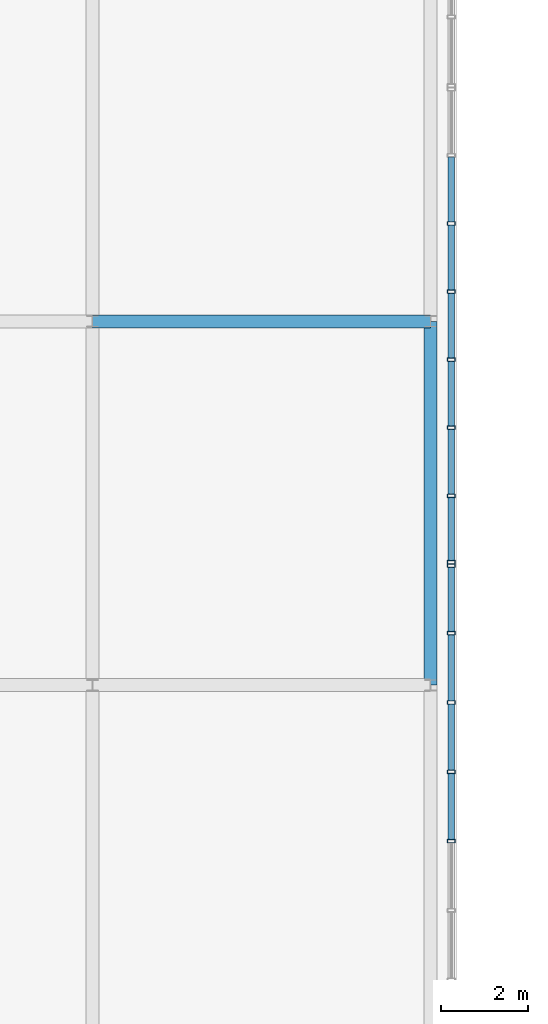
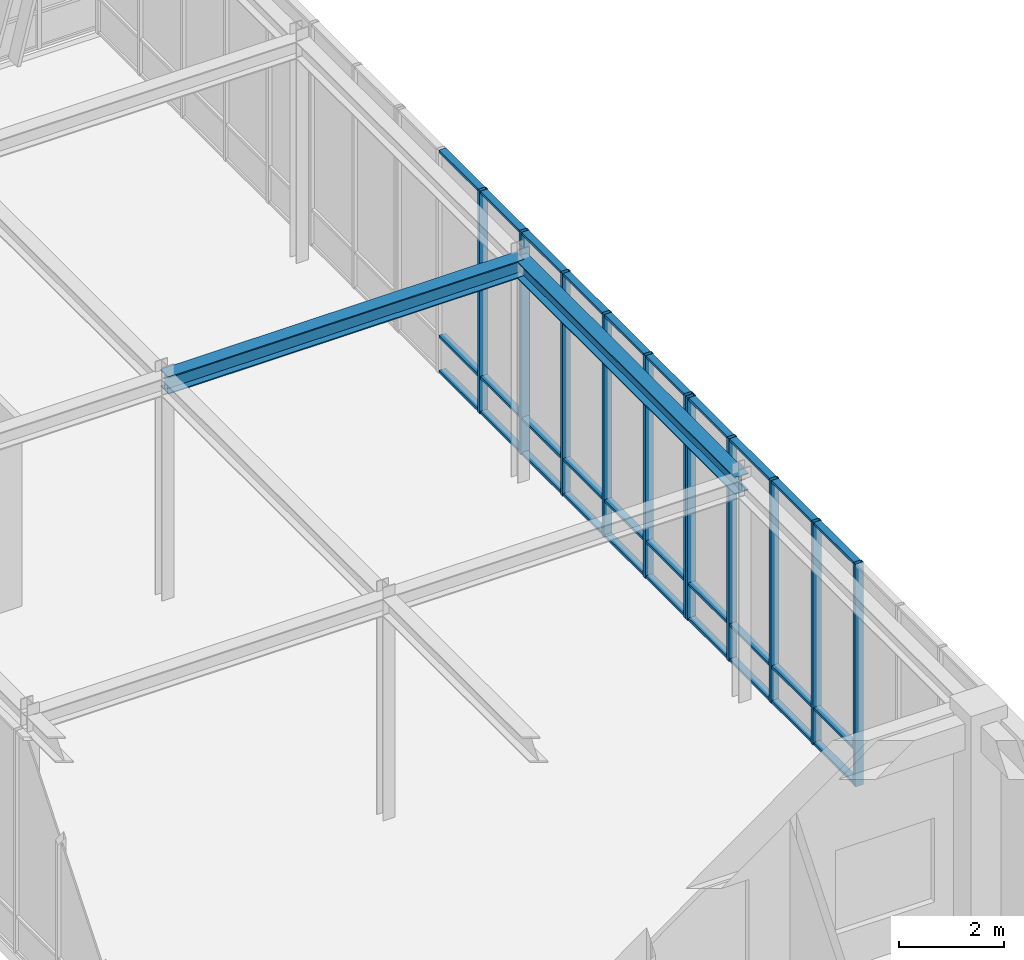
# One storey, part 24 of 139: 41 members, 2 beams, 2 elements without a shape of their own.
"""IFC4 building model written with IfcOpenShell, lengths in metres."""

from ifc_helpers import new_model, si_unit, direction, frame, origin, origin_2d, place, context, subcontext, project, spatial, hollow_rectangle, i_section, extrude, material, layer, layer_set, material_profile, profile_set, type_object, element, aggregate, save


model = new_model("IFC4")

# Units and contexts
model_context = context("Model", 3, precision=1e-05, world=origin(), true_north=direction((0.0, 1.0)))
body_context = subcontext(model_context, "Body", "Model", "MODEL_VIEW")
ifc_project = project(units=[si_unit("LENGTHUNIT", "METRE"), si_unit("AREAUNIT", "SQUARE_METRE"), si_unit("VOLUMEUNIT", "CUBIC_METRE"), si_unit("PLANEANGLEUNIT", "RADIAN"), si_unit("MASSUNIT", "GRAM", prefix="KILO")], contexts=[model_context])

# Site, building, storey
site_placement = place(None, origin())
site = spatial("IfcSite", under=ifc_project, at=site_placement, CompositionType="ELEMENT")
building_placement = place(site_placement, origin())
building = spatial("IfcBuilding", under=site, at=building_placement, Name="Zayran Congress Hotel", CompositionType="ELEMENT")
storey_placement = place(building_placement, frame((0.0, 0.0, 5.39990234375)))
storey = spatial("IfcBuildingStorey", under=building, at=storey_placement, Name="L01", CompositionType="ELEMENT", Elevation=5.39990234375)

# Beams
ifc_material_1 = material(Name="Steel S355", Category="steel")
ifc_material_profile_1 = material_profile(ifc_material_1, i_section(OverallWidth=0.300048828125, OverallDepth=0.39990234375, WebThickness=0.013427734375, FlangeThickness=0.02392578125, at=origin_2d()), Name="HEB 400")
ifc_profile_set_1 = profile_set([ifc_material_profile_1], Name="Steel S355")
beam_type = type_object("IfcBeamType", Name="TP-BM-10", PredefinedType="BEAM", material=ifc_profile_set_1)
beam_1_placement = place(storey_placement, frame((84.0, 50.800048828125, 4.960205078125), z_axis=(1.0, 0.0, 0.0), x_axis=(0.0, 1.0, 0.0)))
element("IfcBeam", 1, at=beam_1_placement, inside=storey, type_object=beam_type, Name="BM-BR2-L01-2461", PredefinedType="BEAM", context=body_context, shape_type="SweptSolid", body=[
    extrude(i_section(OverallWidth=0.300048828125, OverallDepth=0.39990234375, WebThickness=0.013427734375, FlangeThickness=0.02392578125, at=origin_2d()), origin(), (0.0, 0.0, 1.0), 7.800048828125),
])
beam_2_placement = place(storey_placement, frame((91.800048828125, 42.39990234375, 4.960205078125), z_axis=(0.0, 1.0, 0.0), x_axis=(-1.0, 0.0, 0.0)))
element("IfcBeam", 2, at=beam_2_placement, inside=storey, type_object=beam_type, Name="BM-BR2Y-L01-2473", PredefinedType="BEAM", context=body_context, shape_type="SweptSolid", body=[
    extrude(i_section(OverallWidth=0.300048828125, OverallDepth=0.39990234375, WebThickness=0.013427734375, FlangeThickness=0.02392578125, at=origin_2d()), origin(), (0.0, 0.0, 1.0), 8.400146484375),
])

# Curtain wall, members
ifc_material_2 = material(Name="Anodised aluminium and low-E insulated glass", Category="aluminium")
ifc_layer_1 = layer(ifc_material_2, 0.179931640625)
ifc_layer_set_1 = layer_set([ifc_layer_1], Name="Anodised aluminium and low-E insulated glass")
curtain_wall_type_1 = type_object("IfcCurtainWallType", Name="CW-BR2-L01-CW-BR2-11200-5160", PredefinedType="USERDEFINED", material=ifc_layer_set_1)
curtain_wall_1_placement = place(storey_placement, origin())
curtain_wall_1 = element("IfcCurtainWall", 3, at=curtain_wall_1_placement, inside=storey, type_object=curtain_wall_type_1, Name="CW-BR2E-L01-0", ObjectType="CURTAIN WALL", PredefinedType="USERDEFINED")
ifc_material_3 = material(Name="Anodised aluminium framing", Category="aluminium")
ifc_material_profile_2 = material_profile(ifc_material_3, hollow_rectangle(XDim=0.080078125, YDim=0.179931640625, WallThickness=0.0048828125, at=origin_2d()), Name="RHS 180x80x5")
ifc_profile_set_2 = profile_set([ifc_material_profile_2], Name="Anodised aluminium framing")
member_type_1 = type_object("IfcMemberType", Name="TP-CWM-01", PredefinedType="MULLION", material=ifc_profile_set_2)
member_1_placement = place(storey_placement, frame((92.280029296875, 38.800048828125, 0.0), z_axis=(0.0, 0.0, 1.0), x_axis=(0.0, 1.0, 0.0)))
member_1 = element("IfcMember", 4, at=member_1_placement, type_object=member_type_1, Name="CW-BR2E-L01-0-M03", PredefinedType="MULLION", context=body_context, shape_type="SweptSolid", body=[
    extrude(hollow_rectangle(XDim=0.080078125, YDim=0.179931640625, WallThickness=0.0048828125, at=origin_2d()), origin(), (0.0, 0.0, 1.0), 5.16015625),
])
member_2_placement = place(storey_placement, frame((92.280029296875, 40.39990234375, 0.0), z_axis=(0.0, 0.0, 1.0), x_axis=(0.0, 1.0, 0.0)))
member_2 = element("IfcMember", 5, at=member_2_placement, type_object=member_type_1, Name="CW-BR2E-L01-0-M04", PredefinedType="MULLION", context=body_context, shape_type="SweptSolid", body=[
    extrude(hollow_rectangle(XDim=0.080078125, YDim=0.179931640625, WallThickness=0.0048828125, at=origin_2d()), origin(), (0.0, 0.0, 1.0), 5.16015625),
])
member_3_placement = place(storey_placement, frame((92.280029296875, 42.0, 0.0), z_axis=(0.0, 0.0, 1.0), x_axis=(0.0, 1.0, 0.0)))
member_3 = element("IfcMember", 6, at=member_3_placement, type_object=member_type_1, Name="CW-BR2E-L01-0-M05", PredefinedType="MULLION", context=body_context, shape_type="SweptSolid", body=[
    extrude(hollow_rectangle(XDim=0.080078125, YDim=0.179931640625, WallThickness=0.0048828125, at=origin_2d()), origin(), (0.0, 0.0, 1.0), 5.16015625),
])
member_4_placement = place(storey_placement, frame((92.280029296875, 43.60009765625, 0.0), z_axis=(0.0, 0.0, 1.0), x_axis=(0.0, 1.0, 0.0)))
member_4 = element("IfcMember", 7, at=member_4_placement, type_object=member_type_1, Name="CW-BR2E-L01-0-M06", PredefinedType="MULLION", context=body_context, shape_type="SweptSolid", body=[
    extrude(hollow_rectangle(XDim=0.080078125, YDim=0.179931640625, WallThickness=0.0048828125, at=origin_2d()), origin(), (0.0, 0.0, 1.0), 5.16015625),
])
member_5_placement = place(storey_placement, frame((92.280029296875, 45.159912109375, 0.0), z_axis=(0.0, 0.0, 1.0), x_axis=(0.0, 1.0, 0.0)))
member_5 = element("IfcMember", 8, at=member_5_placement, type_object=member_type_1, Name="CW-BR2E-L01-0-M07", PredefinedType="MULLION", context=body_context, shape_type="SweptSolid", body=[
    extrude(hollow_rectangle(XDim=0.080078125, YDim=0.179931640625, WallThickness=0.0048828125, at=origin_2d()), origin(), (0.0, 0.0, 1.0), 5.16015625),
])

ifc_layer_2 = layer(ifc_material_2, 0.179931640625)
ifc_layer_set_2 = layer_set([ifc_layer_2], Name="Anodised aluminium and low-E insulated glass")
curtain_wall_type_2 = type_object("IfcCurtainWallType", Name="CW-BR2-L01-CW-BR2-11000-5160", PredefinedType="USERDEFINED", material=ifc_layer_set_2)
curtain_wall_2_placement = place(storey_placement, origin())
curtain_wall_2 = element("IfcCurtainWall", 9, at=curtain_wall_2_placement, inside=storey, type_object=curtain_wall_type_2, Name="CW-BR2E-L01-1", ObjectType="CURTAIN WALL", PredefinedType="USERDEFINED")
member_6_placement = place(storey_placement, frame((92.280029296875, 45.239990234375, 0.0), z_axis=(0.0, 0.0, 1.0), x_axis=(0.0, 1.0, 0.0)))
member_6 = element("IfcMember", 10, at=member_6_placement, type_object=member_type_1, Name="CW-BR2E-L01-1-M00", PredefinedType="MULLION", context=body_context, shape_type="SweptSolid", body=[
    extrude(hollow_rectangle(XDim=0.080078125, YDim=0.179931640625, WallThickness=0.0048828125, at=origin_2d()), origin(), (0.0, 0.0, 1.0), 5.16015625),
])
member_7_placement = place(storey_placement, frame((92.280029296875, 46.771484375, 0.0), z_axis=(0.0, 0.0, 1.0), x_axis=(0.0, 1.0, 0.0)))
member_7 = element("IfcMember", 11, at=member_7_placement, type_object=member_type_1, Name="CW-BR2E-L01-1-M01", PredefinedType="MULLION", context=body_context, shape_type="SweptSolid", body=[
    extrude(hollow_rectangle(XDim=0.080078125, YDim=0.179931640625, WallThickness=0.0048828125, at=origin_2d()), origin(), (0.0, 0.0, 1.0), 5.16015625),
])
member_8_placement = place(storey_placement, frame((92.280029296875, 48.343017578125, 0.0), z_axis=(0.0, 0.0, 1.0), x_axis=(0.0, 1.0, 0.0)))
member_8 = element("IfcMember", 12, at=member_8_placement, type_object=member_type_1, Name="CW-BR2E-L01-1-M02", PredefinedType="MULLION", context=body_context, shape_type="SweptSolid", body=[
    extrude(hollow_rectangle(XDim=0.080078125, YDim=0.179931640625, WallThickness=0.0048828125, at=origin_2d()), origin(), (0.0, 0.0, 1.0), 5.16015625),
])
member_9_placement = place(storey_placement, frame((92.280029296875, 49.914306640625, 0.0), z_axis=(0.0, 0.0, 1.0), x_axis=(0.0, 1.0, 0.0)))
member_9 = element("IfcMember", 13, at=member_9_placement, type_object=member_type_1, Name="CW-BR2E-L01-1-M03", PredefinedType="MULLION", context=body_context, shape_type="SweptSolid", body=[
    extrude(hollow_rectangle(XDim=0.080078125, YDim=0.179931640625, WallThickness=0.0048828125, at=origin_2d()), origin(), (0.0, 0.0, 1.0), 5.16015625),
])
member_10_placement = place(storey_placement, frame((92.280029296875, 51.485595703125, 0.0), z_axis=(0.0, 0.0, 1.0), x_axis=(0.0, 1.0, 0.0)))
member_10 = element("IfcMember", 14, at=member_10_placement, type_object=member_type_1, Name="CW-BR2E-L01-1-M04", PredefinedType="MULLION", context=body_context, shape_type="SweptSolid", body=[
    extrude(hollow_rectangle(XDim=0.080078125, YDim=0.179931640625, WallThickness=0.0048828125, at=origin_2d()), origin(), (0.0, 0.0, 1.0), 5.16015625),
])
member_11_placement = place(storey_placement, frame((92.280029296875, 53.05712890625, 0.0), z_axis=(0.0, 0.0, 1.0), x_axis=(0.0, 1.0, 0.0)))
member_11 = element("IfcMember", 15, at=member_11_placement, type_object=member_type_1, Name="CW-BR2E-L01-1-M05", PredefinedType="MULLION", context=body_context, shape_type="SweptSolid", body=[
    extrude(hollow_rectangle(XDim=0.080078125, YDim=0.179931640625, WallThickness=0.0048828125, at=origin_2d()), origin(), (0.0, 0.0, 1.0), 5.16015625),
])

# Member
ifc_material_profile_3 = material_profile(ifc_material_3, hollow_rectangle(XDim=0.06005859375, YDim=0.14990234375, WallThickness=0.00390625, at=origin_2d()), Name="RHS 150x60x4")
ifc_profile_set_3 = profile_set([ifc_material_profile_3], Name="Anodised aluminium framing")
member_type_2 = type_object("IfcMemberType", Name="TP-CWT-01", PredefinedType="USERDEFINED", material=ifc_profile_set_3)
member_12_placement = place(storey_placement, frame((92.280029296875, 38.840087890625, 0.030029296875), z_axis=(0.0, 1.0, 0.0), x_axis=(0.0, 0.0, 1.0)))
member_12 = element("IfcMember", 16, at=member_12_placement, type_object=member_type_2, Name="CW-BR2E-L01-0-T03-0", ObjectType="TRANSOM", PredefinedType="USERDEFINED", context=body_context, shape_type="SweptSolid", body=[
    extrude(hollow_rectangle(XDim=0.06005859375, YDim=0.14990234375, WallThickness=0.00390625, at=origin_2d()), origin(), (0.0, 0.0, 1.0), 1.52001953125),
])

member_13_placement = place(storey_placement, frame((92.280029296875, 38.840087890625, 0.840087890625), z_axis=(0.0, 1.0, 0.0), x_axis=(0.0, 0.0, 1.0)))
member_13 = element("IfcMember", 17, at=member_13_placement, type_object=member_type_2, Name="CW-BR2E-L01-0-T03-1", ObjectType="TRANSOM", PredefinedType="USERDEFINED", context=body_context, shape_type="SweptSolid", body=[
    extrude(hollow_rectangle(XDim=0.06005859375, YDim=0.14990234375, WallThickness=0.00390625, at=origin_2d()), origin(), (0.0, 0.0, 1.0), 1.52001953125),
])

member_14_placement = place(storey_placement, frame((92.280029296875, 38.840087890625, 5.130126953125), z_axis=(0.0, 1.0, 0.0), x_axis=(0.0, 0.0, 1.0)))
member_14 = element("IfcMember", 18, at=member_14_placement, type_object=member_type_2, Name="CW-BR2E-L01-0-T03-2", ObjectType="TRANSOM", PredefinedType="USERDEFINED", context=body_context, shape_type="SweptSolid", body=[
    extrude(hollow_rectangle(XDim=0.06005859375, YDim=0.14990234375, WallThickness=0.00390625, at=origin_2d()), origin(), (0.0, 0.0, 1.0), 1.52001953125),
])

member_15_placement = place(storey_placement, frame((92.280029296875, 40.43994140625, 0.030029296875), z_axis=(0.0, 1.0, 0.0), x_axis=(0.0, 0.0, 1.0)))
member_15 = element("IfcMember", 19, at=member_15_placement, type_object=member_type_2, Name="CW-BR2E-L01-0-T04-0", ObjectType="TRANSOM", PredefinedType="USERDEFINED", context=body_context, shape_type="SweptSolid", body=[
    extrude(hollow_rectangle(XDim=0.06005859375, YDim=0.14990234375, WallThickness=0.00390625, at=origin_2d()), origin(), (0.0, 0.0, 1.0), 1.52001953125),
])

member_16_placement = place(storey_placement, frame((92.280029296875, 40.43994140625, 0.840087890625), z_axis=(0.0, 1.0, 0.0), x_axis=(0.0, 0.0, 1.0)))
member_16 = element("IfcMember", 20, at=member_16_placement, type_object=member_type_2, Name="CW-BR2E-L01-0-T04-1", ObjectType="TRANSOM", PredefinedType="USERDEFINED", context=body_context, shape_type="SweptSolid", body=[
    extrude(hollow_rectangle(XDim=0.06005859375, YDim=0.14990234375, WallThickness=0.00390625, at=origin_2d()), origin(), (0.0, 0.0, 1.0), 1.52001953125),
])

member_17_placement = place(storey_placement, frame((92.280029296875, 40.43994140625, 5.130126953125), z_axis=(0.0, 1.0, 0.0), x_axis=(0.0, 0.0, 1.0)))
member_17 = element("IfcMember", 21, at=member_17_placement, type_object=member_type_2, Name="CW-BR2E-L01-0-T04-2", ObjectType="TRANSOM", PredefinedType="USERDEFINED", context=body_context, shape_type="SweptSolid", body=[
    extrude(hollow_rectangle(XDim=0.06005859375, YDim=0.14990234375, WallThickness=0.00390625, at=origin_2d()), origin(), (0.0, 0.0, 1.0), 1.52001953125),
])

member_18_placement = place(storey_placement, frame((92.280029296875, 42.0400390625, 0.030029296875), z_axis=(0.0, 1.0, 0.0), x_axis=(0.0, 0.0, 1.0)))
member_18 = element("IfcMember", 22, at=member_18_placement, type_object=member_type_2, Name="CW-BR2E-L01-0-T05-0", ObjectType="TRANSOM", PredefinedType="USERDEFINED", context=body_context, shape_type="SweptSolid", body=[
    extrude(hollow_rectangle(XDim=0.06005859375, YDim=0.14990234375, WallThickness=0.00390625, at=origin_2d()), origin(), (0.0, 0.0, 1.0), 1.52001953125),
])

member_19_placement = place(storey_placement, frame((92.280029296875, 42.0400390625, 0.840087890625), z_axis=(0.0, 1.0, 0.0), x_axis=(0.0, 0.0, 1.0)))
member_19 = element("IfcMember", 23, at=member_19_placement, type_object=member_type_2, Name="CW-BR2E-L01-0-T05-1", ObjectType="TRANSOM", PredefinedType="USERDEFINED", context=body_context, shape_type="SweptSolid", body=[
    extrude(hollow_rectangle(XDim=0.06005859375, YDim=0.14990234375, WallThickness=0.00390625, at=origin_2d()), origin(), (0.0, 0.0, 1.0), 1.52001953125),
])

member_20_placement = place(storey_placement, frame((92.280029296875, 42.0400390625, 5.130126953125), z_axis=(0.0, 1.0, 0.0), x_axis=(0.0, 0.0, 1.0)))
member_20 = element("IfcMember", 24, at=member_20_placement, type_object=member_type_2, Name="CW-BR2E-L01-0-T05-2", ObjectType="TRANSOM", PredefinedType="USERDEFINED", context=body_context, shape_type="SweptSolid", body=[
    extrude(hollow_rectangle(XDim=0.06005859375, YDim=0.14990234375, WallThickness=0.00390625, at=origin_2d()), origin(), (0.0, 0.0, 1.0), 1.52001953125),
])

member_21_placement = place(storey_placement, frame((92.280029296875, 43.639892578125, 0.030029296875), z_axis=(0.0, 1.0, 0.0), x_axis=(0.0, 0.0, 1.0)))
member_21 = element("IfcMember", 25, at=member_21_placement, type_object=member_type_2, Name="CW-BR2E-L01-0-T06-0", ObjectType="TRANSOM", PredefinedType="USERDEFINED", context=body_context, shape_type="SweptSolid", body=[
    extrude(hollow_rectangle(XDim=0.06005859375, YDim=0.14990234375, WallThickness=0.00390625, at=origin_2d()), origin(), (0.0, 0.0, 1.0), 1.480224609375),
])

member_22_placement = place(storey_placement, frame((92.280029296875, 43.639892578125, 0.840087890625), z_axis=(0.0, 1.0, 0.0), x_axis=(0.0, 0.0, 1.0)))
member_22 = element("IfcMember", 26, at=member_22_placement, type_object=member_type_2, Name="CW-BR2E-L01-0-T06-1", ObjectType="TRANSOM", PredefinedType="USERDEFINED", context=body_context, shape_type="SweptSolid", body=[
    extrude(hollow_rectangle(XDim=0.06005859375, YDim=0.14990234375, WallThickness=0.00390625, at=origin_2d()), origin(), (0.0, 0.0, 1.0), 1.480224609375),
])

member_23_placement = place(storey_placement, frame((92.280029296875, 43.639892578125, 5.130126953125), z_axis=(0.0, 1.0, 0.0), x_axis=(0.0, 0.0, 1.0)))
member_23 = element("IfcMember", 27, at=member_23_placement, type_object=member_type_2, Name="CW-BR2E-L01-0-T06-2", ObjectType="TRANSOM", PredefinedType="USERDEFINED", context=body_context, shape_type="SweptSolid", body=[
    extrude(hollow_rectangle(XDim=0.06005859375, YDim=0.14990234375, WallThickness=0.00390625, at=origin_2d()), origin(), (0.0, 0.0, 1.0), 1.480224609375),
])

aggregate(curtain_wall_1, [member_1, member_2, member_3, member_4, member_5, member_12, member_13, member_14, member_15, member_16, member_17, member_18, member_19, member_20, member_21, member_22, member_23])

member_24_placement = place(storey_placement, frame((92.280029296875, 45.280029296875, 0.030029296875), z_axis=(0.0, 1.0, 0.0), x_axis=(0.0, 0.0, 1.0)))
member_24 = element("IfcMember", 28, at=member_24_placement, type_object=member_type_2, Name="CW-BR2E-L01-1-T00-0", ObjectType="TRANSOM", PredefinedType="USERDEFINED", context=body_context, shape_type="SweptSolid", body=[
    extrude(hollow_rectangle(XDim=0.06005859375, YDim=0.14990234375, WallThickness=0.00390625, at=origin_2d()), origin(), (0.0, 0.0, 1.0), 1.451416015625),
])

member_25_placement = place(storey_placement, frame((92.280029296875, 45.280029296875, 0.840087890625), z_axis=(0.0, 1.0, 0.0), x_axis=(0.0, 0.0, 1.0)))
member_25 = element("IfcMember", 29, at=member_25_placement, type_object=member_type_2, Name="CW-BR2E-L01-1-T00-1", ObjectType="TRANSOM", PredefinedType="USERDEFINED", context=body_context, shape_type="SweptSolid", body=[
    extrude(hollow_rectangle(XDim=0.06005859375, YDim=0.14990234375, WallThickness=0.00390625, at=origin_2d()), origin(), (0.0, 0.0, 1.0), 1.451416015625),
])

member_26_placement = place(storey_placement, frame((92.280029296875, 45.280029296875, 5.130126953125), z_axis=(0.0, 1.0, 0.0), x_axis=(0.0, 0.0, 1.0)))
member_26 = element("IfcMember", 30, at=member_26_placement, type_object=member_type_2, Name="CW-BR2E-L01-1-T00-2", ObjectType="TRANSOM", PredefinedType="USERDEFINED", context=body_context, shape_type="SweptSolid", body=[
    extrude(hollow_rectangle(XDim=0.06005859375, YDim=0.14990234375, WallThickness=0.00390625, at=origin_2d()), origin(), (0.0, 0.0, 1.0), 1.451416015625),
])

member_27_placement = place(storey_placement, frame((92.280029296875, 46.811279296875, 0.030029296875), z_axis=(0.0, 1.0, 0.0), x_axis=(0.0, 0.0, 1.0)))
member_27 = element("IfcMember", 31, at=member_27_placement, type_object=member_type_2, Name="CW-BR2E-L01-1-T01-0", ObjectType="TRANSOM", PredefinedType="USERDEFINED", context=body_context, shape_type="SweptSolid", body=[
    extrude(hollow_rectangle(XDim=0.06005859375, YDim=0.14990234375, WallThickness=0.00390625, at=origin_2d()), origin(), (0.0, 0.0, 1.0), 1.49169921875),
])

member_28_placement = place(storey_placement, frame((92.280029296875, 46.811279296875, 0.840087890625), z_axis=(0.0, 1.0, 0.0), x_axis=(0.0, 0.0, 1.0)))
member_28 = element("IfcMember", 32, at=member_28_placement, type_object=member_type_2, Name="CW-BR2E-L01-1-T01-1", ObjectType="TRANSOM", PredefinedType="USERDEFINED", context=body_context, shape_type="SweptSolid", body=[
    extrude(hollow_rectangle(XDim=0.06005859375, YDim=0.14990234375, WallThickness=0.00390625, at=origin_2d()), origin(), (0.0, 0.0, 1.0), 1.49169921875),
])

member_29_placement = place(storey_placement, frame((92.280029296875, 46.811279296875, 5.130126953125), z_axis=(0.0, 1.0, 0.0), x_axis=(0.0, 0.0, 1.0)))
member_29 = element("IfcMember", 33, at=member_29_placement, type_object=member_type_2, Name="CW-BR2E-L01-1-T01-2", ObjectType="TRANSOM", PredefinedType="USERDEFINED", context=body_context, shape_type="SweptSolid", body=[
    extrude(hollow_rectangle(XDim=0.06005859375, YDim=0.14990234375, WallThickness=0.00390625, at=origin_2d()), origin(), (0.0, 0.0, 1.0), 1.49169921875),
])

member_30_placement = place(storey_placement, frame((92.280029296875, 48.3828125, 0.030029296875), z_axis=(0.0, 1.0, 0.0), x_axis=(0.0, 0.0, 1.0)))
member_30 = element("IfcMember", 34, at=member_30_placement, type_object=member_type_2, Name="CW-BR2E-L01-1-T02-0", ObjectType="TRANSOM", PredefinedType="USERDEFINED", context=body_context, shape_type="SweptSolid", body=[
    extrude(hollow_rectangle(XDim=0.06005859375, YDim=0.14990234375, WallThickness=0.00390625, at=origin_2d()), origin(), (0.0, 0.0, 1.0), 1.491455078125),
])

member_31_placement = place(storey_placement, frame((92.280029296875, 48.3828125, 0.840087890625), z_axis=(0.0, 1.0, 0.0), x_axis=(0.0, 0.0, 1.0)))
member_31 = element("IfcMember", 35, at=member_31_placement, type_object=member_type_2, Name="CW-BR2E-L01-1-T02-1", ObjectType="TRANSOM", PredefinedType="USERDEFINED", context=body_context, shape_type="SweptSolid", body=[
    extrude(hollow_rectangle(XDim=0.06005859375, YDim=0.14990234375, WallThickness=0.00390625, at=origin_2d()), origin(), (0.0, 0.0, 1.0), 1.491455078125),
])

member_32_placement = place(storey_placement, frame((92.280029296875, 48.3828125, 5.130126953125), z_axis=(0.0, 1.0, 0.0), x_axis=(0.0, 0.0, 1.0)))
member_32 = element("IfcMember", 36, at=member_32_placement, type_object=member_type_2, Name="CW-BR2E-L01-1-T02-2", ObjectType="TRANSOM", PredefinedType="USERDEFINED", context=body_context, shape_type="SweptSolid", body=[
    extrude(hollow_rectangle(XDim=0.06005859375, YDim=0.14990234375, WallThickness=0.00390625, at=origin_2d()), origin(), (0.0, 0.0, 1.0), 1.491455078125),
])

member_33_placement = place(storey_placement, frame((92.280029296875, 49.954345703125, 0.030029296875), z_axis=(0.0, 1.0, 0.0), x_axis=(0.0, 0.0, 1.0)))
member_33 = element("IfcMember", 37, at=member_33_placement, type_object=member_type_2, Name="CW-BR2E-L01-1-T03-0", ObjectType="TRANSOM", PredefinedType="USERDEFINED", context=body_context, shape_type="SweptSolid", body=[
    extrude(hollow_rectangle(XDim=0.06005859375, YDim=0.14990234375, WallThickness=0.00390625, at=origin_2d()), origin(), (0.0, 0.0, 1.0), 1.491455078125),
])

member_34_placement = place(storey_placement, frame((92.280029296875, 49.954345703125, 0.840087890625), z_axis=(0.0, 1.0, 0.0), x_axis=(0.0, 0.0, 1.0)))
member_34 = element("IfcMember", 38, at=member_34_placement, type_object=member_type_2, Name="CW-BR2E-L01-1-T03-1", ObjectType="TRANSOM", PredefinedType="USERDEFINED", context=body_context, shape_type="SweptSolid", body=[
    extrude(hollow_rectangle(XDim=0.06005859375, YDim=0.14990234375, WallThickness=0.00390625, at=origin_2d()), origin(), (0.0, 0.0, 1.0), 1.491455078125),
])

member_35_placement = place(storey_placement, frame((92.280029296875, 49.954345703125, 5.130126953125), z_axis=(0.0, 1.0, 0.0), x_axis=(0.0, 0.0, 1.0)))
member_35 = element("IfcMember", 39, at=member_35_placement, type_object=member_type_2, Name="CW-BR2E-L01-1-T03-2", ObjectType="TRANSOM", PredefinedType="USERDEFINED", context=body_context, shape_type="SweptSolid", body=[
    extrude(hollow_rectangle(XDim=0.06005859375, YDim=0.14990234375, WallThickness=0.00390625, at=origin_2d()), origin(), (0.0, 0.0, 1.0), 1.491455078125),
])

member_36_placement = place(storey_placement, frame((92.280029296875, 51.525634765625, 0.030029296875), z_axis=(0.0, 1.0, 0.0), x_axis=(0.0, 0.0, 1.0)))
member_36 = element("IfcMember", 40, at=member_36_placement, type_object=member_type_2, Name="CW-BR2E-L01-1-T04-0", ObjectType="TRANSOM", PredefinedType="USERDEFINED", context=body_context, shape_type="SweptSolid", body=[
    extrude(hollow_rectangle(XDim=0.06005859375, YDim=0.14990234375, WallThickness=0.00390625, at=origin_2d()), origin(), (0.0, 0.0, 1.0), 1.491455078125),
])

member_37_placement = place(storey_placement, frame((92.280029296875, 51.525634765625, 0.840087890625), z_axis=(0.0, 1.0, 0.0), x_axis=(0.0, 0.0, 1.0)))
member_37 = element("IfcMember", 41, at=member_37_placement, type_object=member_type_2, Name="CW-BR2E-L01-1-T04-1", ObjectType="TRANSOM", PredefinedType="USERDEFINED", context=body_context, shape_type="SweptSolid", body=[
    extrude(hollow_rectangle(XDim=0.06005859375, YDim=0.14990234375, WallThickness=0.00390625, at=origin_2d()), origin(), (0.0, 0.0, 1.0), 1.491455078125),
])

member_38_placement = place(storey_placement, frame((92.280029296875, 51.525634765625, 5.130126953125), z_axis=(0.0, 1.0, 0.0), x_axis=(0.0, 0.0, 1.0)))
member_38 = element("IfcMember", 42, at=member_38_placement, type_object=member_type_2, Name="CW-BR2E-L01-1-T04-2", ObjectType="TRANSOM", PredefinedType="USERDEFINED", context=body_context, shape_type="SweptSolid", body=[
    extrude(hollow_rectangle(XDim=0.06005859375, YDim=0.14990234375, WallThickness=0.00390625, at=origin_2d()), origin(), (0.0, 0.0, 1.0), 1.491455078125),
])

member_39_placement = place(storey_placement, frame((92.280029296875, 53.09716796875, 0.030029296875), z_axis=(0.0, 1.0, 0.0), x_axis=(0.0, 0.0, 1.0)))
member_39 = element("IfcMember", 43, at=member_39_placement, type_object=member_type_2, Name="CW-BR2E-L01-1-T05-0", ObjectType="TRANSOM", PredefinedType="USERDEFINED", context=body_context, shape_type="SweptSolid", body=[
    extrude(hollow_rectangle(XDim=0.06005859375, YDim=0.14990234375, WallThickness=0.00390625, at=origin_2d()), origin(), (0.0, 0.0, 1.0), 1.491455078125),
])

member_40_placement = place(storey_placement, frame((92.280029296875, 53.09716796875, 0.840087890625), z_axis=(0.0, 1.0, 0.0), x_axis=(0.0, 0.0, 1.0)))
member_40 = element("IfcMember", 44, at=member_40_placement, type_object=member_type_2, Name="CW-BR2E-L01-1-T05-1", ObjectType="TRANSOM", PredefinedType="USERDEFINED", context=body_context, shape_type="SweptSolid", body=[
    extrude(hollow_rectangle(XDim=0.06005859375, YDim=0.14990234375, WallThickness=0.00390625, at=origin_2d()), origin(), (0.0, 0.0, 1.0), 1.491455078125),
])

member_41_placement = place(storey_placement, frame((92.280029296875, 53.09716796875, 5.130126953125), z_axis=(0.0, 1.0, 0.0), x_axis=(0.0, 0.0, 1.0)))
member_41 = element("IfcMember", 45, at=member_41_placement, type_object=member_type_2, Name="CW-BR2E-L01-1-T05-2", ObjectType="TRANSOM", PredefinedType="USERDEFINED", context=body_context, shape_type="SweptSolid", body=[
    extrude(hollow_rectangle(XDim=0.06005859375, YDim=0.14990234375, WallThickness=0.00390625, at=origin_2d()), origin(), (0.0, 0.0, 1.0), 1.491455078125),
])

aggregate(curtain_wall_2, [member_6, member_7, member_8, member_9, member_10, member_11, member_24, member_25, member_26, member_27, member_28, member_29, member_30, member_31, member_32, member_33, member_34, member_35, member_36, member_37, member_38, member_39, member_40, member_41])

save(model, "model.ifc")
